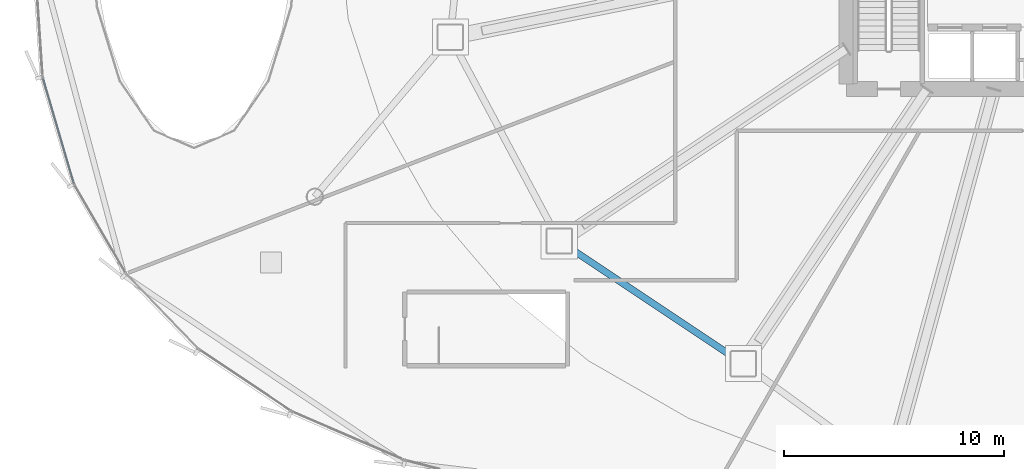
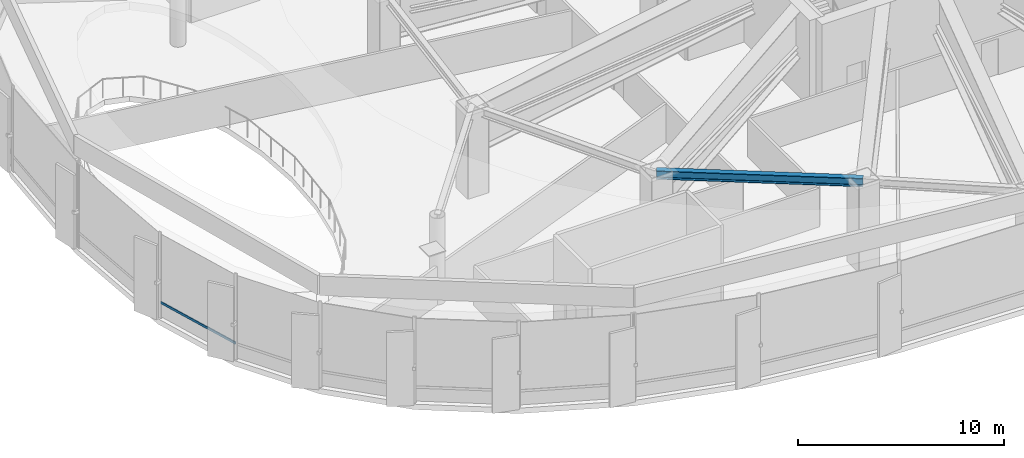
# One storey, part 5 of 36: 1 beam, 1 member, 1 element without a shape of its own.
"""IFC4 building model written with IfcOpenShell, lengths in metres."""

import ifcopenshell
import ifcopenshell.guid

model = None  # the IFC model being written
_history = None  # IfcOwnerHistory: only IFC2X3 demands one
_inside = {}  # id of a spatial element -> (the spatial element, [elements in it])
_under = {}  # id of a project, library or spatial element -> (it, [spatial elements below it])
_declared = {}  # id of a project -> (the project, [libraries it declares])
_typed = {}  # id of a type object -> (the type object, [elements of that type])
_made_of = {}  # id of a material, layer set ... -> (it, [elements and type objects made of it])


def new_model(schema):
    """Start an empty IFC model of exactly this schema.

    Asked for "IFC4X3", IfcOpenShell would pick the latest addendum, in which some entities
    have other attributes; the version numbers below select the first issue.
    IFC2X3 requires an IfcOwnerHistory on every rooted entity: one is made here for all.
    """
    global model, _history
    if schema == "IFC4X3":
        model = ifcopenshell.file(schema_version=(4, 3, 0, 0))
    else:
        model = ifcopenshell.file(schema=schema)
    _inside.clear()
    _under.clear()
    _declared.clear()
    _typed.clear()
    _made_of.clear()
    _history = None
    if model.schema == "IFC2X3":
        org = make("IfcOrganization", Name="unknown")
        user = make(
            "IfcPersonAndOrganization",
            ThePerson=make("IfcPerson", FamilyName="unknown"),
            TheOrganization=org,
        )
        app = make(
            "IfcApplication",
            ApplicationDeveloper=org,
            Version="unknown",
            ApplicationFullName="unknown",
            ApplicationIdentifier="unknown",
        )
        _history = make(
            "IfcOwnerHistory",
            OwningUser=user,
            OwningApplication=app,
            ChangeAction="ADDED",
            CreationDate=0,
        )
    return model


def make(cls, **values):
    """One entity of the class cls with the attributes given. An attribute that is None is left unset."""
    return model.create_entity(
        cls, **{name: value for name, value in values.items() if value is not None}
    )


def rooted(cls, **values):
    """An entity with a GlobalId (a new one), such as an element, a storey or a relation."""
    return make(cls, GlobalId=ifcopenshell.guid.new(), OwnerHistory=_history, **values)


def si_unit(unit_type, name, prefix=None):
    """IfcSIUnit, for example si_unit("LENGTHUNIT", "METRE", prefix="MILLI")."""
    return make("IfcSIUnit", UnitType=unit_type, Prefix=prefix, Name=name)


def assignment(units):
    """IfcUnitAssignment: the units of a project."""
    return None if units is None else make("IfcUnitAssignment", Units=units)


def point(xyz):
    """IfcCartesianPoint."""
    return None if xyz is None else make("IfcCartesianPoint", Coordinates=xyz)


def direction(xyz):
    """IfcDirection."""
    return None if xyz is None else make("IfcDirection", DirectionRatios=xyz)


def frame(location, z_axis=None, x_axis=None):
    """IfcAxis2Placement3D, a coordinate frame: its origin and axes. An axis left out is left unset."""
    return make(
        "IfcAxis2Placement3D",
        Location=point(location),
        Axis=direction(z_axis),
        RefDirection=direction(x_axis),
    )


def frame_2d(location, x_axis=None):
    """IfcAxis2Placement2D, a coordinate frame in the plane: its origin and x axis."""
    return make(
        "IfcAxis2Placement2D", Location=point(location), RefDirection=direction(x_axis)
    )


def origin():
    """The frame at (0, 0, 0) with its axes left unset."""
    return frame((0.0, 0.0, 0.0))


def origin_2d():
    """The frame at (0, 0) in the plane with its x axis left unset."""
    return frame_2d((0.0, 0.0))


def place(relative_to, where):
    """IfcLocalPlacement: puts the frame where relative to a parent placement (None: the world)."""
    return make(
        "IfcLocalPlacement", PlacementRelTo=relative_to, RelativePlacement=where
    )


def context(
    kind, dimensions, precision=None, world=None, true_north=None, identifier=None
):
    """IfcGeometricRepresentationContext, for example the 3D "Model" context."""
    return make(
        "IfcGeometricRepresentationContext",
        ContextIdentifier=identifier,
        ContextType=kind,
        CoordinateSpaceDimension=dimensions,
        Precision=precision,
        WorldCoordinateSystem=world,
        TrueNorth=true_north,
    )


def subcontext(parent, identifier, kind, view, scale=None):
    """IfcGeometricRepresentationSubContext, for example "Body" below "Model"."""
    return make(
        "IfcGeometricRepresentationSubContext",
        ContextIdentifier=identifier,
        ContextType=kind,
        ParentContext=parent,
        TargetScale=scale,
        TargetView=view,
    )


def project(units=None, contexts=None):
    """IfcProject with its units and contexts."""
    return rooted(
        "IfcProject",
        Name="project",
        RepresentationContexts=contexts,
        UnitsInContext=assignment(units),
    )


def spatial(cls, under=None, at=None, **own):
    """A site, building, storey or space (cls), placed at a placement, below another one or the project."""
    s = rooted(cls, ObjectPlacement=at, **own)
    if under is not None:
        _under.setdefault(under.id(), (under, []))[1].append(s)
    return s


def profile(cls, at=None, kind="AREA", **sizes):
    """A parametric profile (cls). Its sizes go by their IFC names, for example OverallWidth=200.0."""
    return make(cls, ProfileType=kind, Position=at, **sizes)


def hollow_rectangle(**sizes):
    """IfcRectangleHollowProfileDef."""
    return profile("IfcRectangleHollowProfileDef", **sizes)


def i_section(**sizes):
    """IfcIShapeProfileDef."""
    return profile("IfcIShapeProfileDef", **sizes)


def extrude(swept, where, along, depth):
    """IfcExtrudedAreaSolid: the profile swept, set in the frame where, extruded along a direction by depth."""
    return make(
        "IfcExtrudedAreaSolid",
        SweptArea=swept,
        Position=where,
        ExtrudedDirection=direction(along),
        Depth=depth,
    )


def shape(context_of_items, identifier, shape_type, items):
    """IfcShapeRepresentation: the items that make up one representation, for example the "Body"."""
    return make(
        "IfcShapeRepresentation",
        ContextOfItems=context_of_items,
        RepresentationIdentifier=identifier,
        RepresentationType=shape_type,
        Items=items,
    )


def source(mapping_origin, context_of_items, identifier, shape_type, items):
    """IfcRepresentationMap: a shape defined once, which mapped items show again and again."""
    return make(
        "IfcRepresentationMap",
        MappingOrigin=mapping_origin,
        MappedRepresentation=shape(context_of_items, identifier, shape_type, items),
    )


def transform(
    local_origin,
    x_axis=None,
    y_axis=None,
    z_axis=None,
    scale=None,
    scale2=None,
    scale3=None,
    uniform=True,
):
    """IfcCartesianTransformationOperator3D, or its non-uniform kind. x_axis, y_axis, z_axis: its Axis1, 2, 3."""
    if uniform:
        return make(
            "IfcCartesianTransformationOperator3D",
            Axis1=direction(x_axis),
            Axis2=direction(y_axis),
            LocalOrigin=point(local_origin),
            Scale=scale,
            Axis3=direction(z_axis),
        )
    return make(
        "IfcCartesianTransformationOperator3DnonUniform",
        Axis1=direction(x_axis),
        Axis2=direction(y_axis),
        LocalOrigin=point(local_origin),
        Scale=scale,
        Axis3=direction(z_axis),
        Scale2=scale2,
        Scale3=scale3,
    )


def mapped(mapping_source, mapping_target):
    """IfcMappedItem: shows the shape of a source again, moved by a transform."""
    return make(
        "IfcMappedItem", MappingSource=mapping_source, MappingTarget=mapping_target
    )


def material(Name=None, Category=None):
    """IfcMaterial."""
    return make("IfcMaterial", Name=Name, Category=Category)


def layer(
    of_material, thickness, ventilated=None, Name=None, Category=None, Priority=None
):
    """IfcMaterialLayer: one layer of a wall or slab, of a material (None: an air gap)."""
    return make(
        "IfcMaterialLayer",
        Material=of_material,
        LayerThickness=thickness,
        IsVentilated=ventilated,
        Name=Name,
        Category=Category,
        Priority=Priority,
    )


def layer_set(layers, Name=None):
    """IfcMaterialLayerSet."""
    return make("IfcMaterialLayerSet", MaterialLayers=layers, LayerSetName=Name)


def material_profile(
    of_material, cross_section, Name=None, Category=None, Priority=None
):
    """IfcMaterialProfile: a cross section and its material."""
    return make(
        "IfcMaterialProfile",
        Name=Name,
        Material=of_material,
        Profile=cross_section,
        Priority=Priority,
        Category=Category,
    )


def profile_set(profiles, Name=None, composite=None):
    """IfcMaterialProfileSet."""
    return make(
        "IfcMaterialProfileSet",
        Name=Name,
        MaterialProfiles=profiles,
        CompositeProfile=composite,
    )


def made_of(thing, what):
    """Note that an element or type object is made of a material, layer set ...; save() writes the relation."""
    if what is not None:
        _made_of.setdefault(what.id(), (what, []))[1].append(thing)
    return thing


def type_object(cls, material=None, **own):
    """A type object (cls), such as IfcWallType, which elements share."""
    return made_of(rooted(cls, **own), material)


def element(
    cls,
    number,
    at=None,
    inside=None,
    cuts=None,
    type_object=None,
    material=None,
    context=None,
    identifier="Body",
    shape_type=None,
    held_by="IfcProductDefinitionShape",
    body=None,
    shapes=None,
    **own,
):
    """One element of the class cls, such as IfcWall. Its Tag is "e" and its number.

    at: its placement. inside: the storey or other place that contains it. cuts: it is an
    opening in that element (IfcRelVoidsElement). A single representation is given by context,
    identifier, shape_type and body (its items); several are given by shapes. held_by: the class
    of the entity that holds the representations. save() writes the other relations.
    """
    e = rooted(cls, Tag="e%d" % number, ObjectPlacement=at, **own)
    if body is not None:
        shapes = [shape(context, identifier, shape_type, body)]
    if shapes is not None:
        e.Representation = make(held_by, Representations=shapes)
    if inside is not None:
        _inside.setdefault(inside.id(), (inside, []))[1].append(e)
    if cuts is not None:
        rooted(
            "IfcRelVoidsElement", RelatingBuildingElement=cuts, RelatedOpeningElement=e
        )
    if type_object is not None:
        _typed.setdefault(type_object.id(), (type_object, []))[1].append(e)
    return made_of(e, material)


def aggregate(whole, parts):
    """IfcRelAggregates: a whole, such as a stair, and the parts it consists of."""
    return rooted("IfcRelAggregates", RelatingObject=whole, RelatedObjects=parts)


def save(model, path):
    """Write the relations noted so far, then the file.

    IfcRelAggregates (storeys below a building ...), IfcRelContainedInSpatialStructure (elements
    in a storey), IfcRelDefinesByType, IfcRelAssociatesMaterial and IfcRelDeclares: one each for
    every whole, place, type object, material and project.
    """
    for whole, parts in _under.values():
        aggregate(whole, parts)
    for where, things in _inside.values():
        rooted(
            "IfcRelContainedInSpatialStructure",
            RelatedElements=things,
            RelatingStructure=where,
        )
    for kind, things in _typed.values():
        rooted("IfcRelDefinesByType", RelatedObjects=things, RelatingType=kind)
    for what, things in _made_of.values():
        rooted("IfcRelAssociatesMaterial", RelatedObjects=things, RelatingMaterial=what)
    for by, libraries in _declared.values():
        rooted("IfcRelDeclares", RelatingContext=by, RelatedDefinitions=libraries)
    model.write(path)


model = new_model("IFC4")

# Units and contexts
model_context = context("Model", 3, precision=1e-05, world=origin(), true_north=direction((0.0, 1.0)))
body_context = subcontext(model_context, "Body", "Model", "MODEL_VIEW")
ifc_project = project(units=[si_unit("LENGTHUNIT", "METRE"), si_unit("AREAUNIT", "SQUARE_METRE"), si_unit("VOLUMEUNIT", "CUBIC_METRE"), si_unit("PLANEANGLEUNIT", "RADIAN"), si_unit("MASSUNIT", "GRAM", prefix="KILO"), si_unit("THERMODYNAMICTEMPERATUREUNIT", "KELVIN")], contexts=[model_context])

# Site, building, storey
site_placement = place(None, origin())
site = spatial("IfcSite", under=ifc_project, at=site_placement, CompositionType="ELEMENT")
building_placement = place(site_placement, origin())
building = spatial("IfcBuilding", under=site, at=building_placement, Name="Kethvar Cultural Tower", CompositionType="ELEMENT")
storey_placement = place(building_placement, frame((0.0, 0.0, 24.0)))
storey = spatial("IfcBuildingStorey", under=building, at=storey_placement, Name="L05", CompositionType="ELEMENT", Elevation=24.0)

# Beam
ifc_material_1 = material(Name="Steel S355J2", Category="steel")
ifc_material_profile_1 = material_profile(ifc_material_1, i_section(OverallWidth=0.300048828125, OverallDepth=0.5, WebThickness=0.014404296875, FlangeThickness=0.028076171875, FilletRadius=0.027099609375, at=origin_2d()), Name="Steel S355J2 — HEB500")
ifc_profile_set_1 = profile_set([ifc_material_profile_1], Name="Steel S355J2 — HEB500")
beam_type = type_object("IfcBeamType", Name="BM-SP500", PredefinedType="SPANDREL", material=ifc_profile_set_1)
shared_shape_1 = source(origin(), body_context, "Body", "SweptSolid", [
    extrude(i_section(OverallWidth=0.300048828125, OverallDepth=0.5, WebThickness=0.014404296875, FlangeThickness=0.028076171875, FilletRadius=0.027099609375, at=origin_2d()), origin(), (0.0, 0.0, 1.0), 10.06787109375),
])
beam_placement = place(storey_placement, frame((24.9248046875, 13.183349609375, 4.865966796875), z_axis=(0.832065216665, -0.554677812083, 0.0), x_axis=(0.554677812083, 0.832065216665, 0.0)))
element("IfcBeam", 1, at=beam_placement, inside=storey, type_object=beam_type, Name="L05 Podium Ring Beam 10", PredefinedType="SPANDREL", context=body_context, shape_type="MappedRepresentation", body=[
    mapped(shared_shape_1, transform((0.0, 0.0, 0.0), scale=1.0)),
])

# Curtain wall, member
ifc_material_2 = material(Name="Aluminium 6063-T6", Category="aluminium")
ifc_layer = layer(ifc_material_2, 0.179931640625, Name="Aluminium 6063-T6", Category="aluminium")
ifc_layer_set = layer_set([ifc_layer], Name="Aluminium 6063-T6 (180 mm)")
curtain_wall_type = type_object("IfcCurtainWallType", Name="CW-SYS-01-POD", PredefinedType="NOTDEFINED", material=ifc_layer_set)
curtain_wall_placement = place(storey_placement, origin())
curtain_wall = element("IfcCurtainWall", 2, at=curtain_wall_placement, inside=storey, type_object=curtain_wall_type, Name="L05 Curtain Wall Run 04", PredefinedType="NOTDEFINED")
ifc_material_profile_2 = material_profile(ifc_material_2, hollow_rectangle(XDim=0.06005859375, YDim=0.139892578125, WallThickness=0.0048828125, at=origin_2d()), Name="Aluminium 6063-T6 — RHS140x60x5")
ifc_profile_set_2 = profile_set([ifc_material_profile_2], Name="Aluminium 6063-T6 — RHS140x60x5")
member_type = type_object("IfcMemberType", Name="CW-SYS-01-POD-TRN", PredefinedType="USERDEFINED", material=ifc_profile_set_2)
shared_shape_2 = source(origin(), body_context, "Body", "SweptSolid", [
    extrude(hollow_rectangle(XDim=0.06005859375, YDim=0.139892578125, WallThickness=0.0048828125, at=origin_2d()), origin(), (0.0, 0.0, 1.0), 5.0126953125),
])
member_placement = place(storey_placement, frame((1.422119140625, 20.606201171875, 0.949951171875), z_axis=(0.281757580899, -0.959485625534, 0.0), x_axis=(0.959485625534, 0.281757580899, 0.0)))
member = element("IfcMember", 3, at=member_placement, type_object=member_type, Name="CW-L05-R04 Transom 2", ObjectType="TRANSOM", PredefinedType="USERDEFINED", context=body_context, shape_type="MappedRepresentation", body=[
    mapped(shared_shape_2, transform((0.0, 0.0, 0.0), scale=1.0)),
])
aggregate(curtain_wall, [member])

save(model, "model.ifc")
